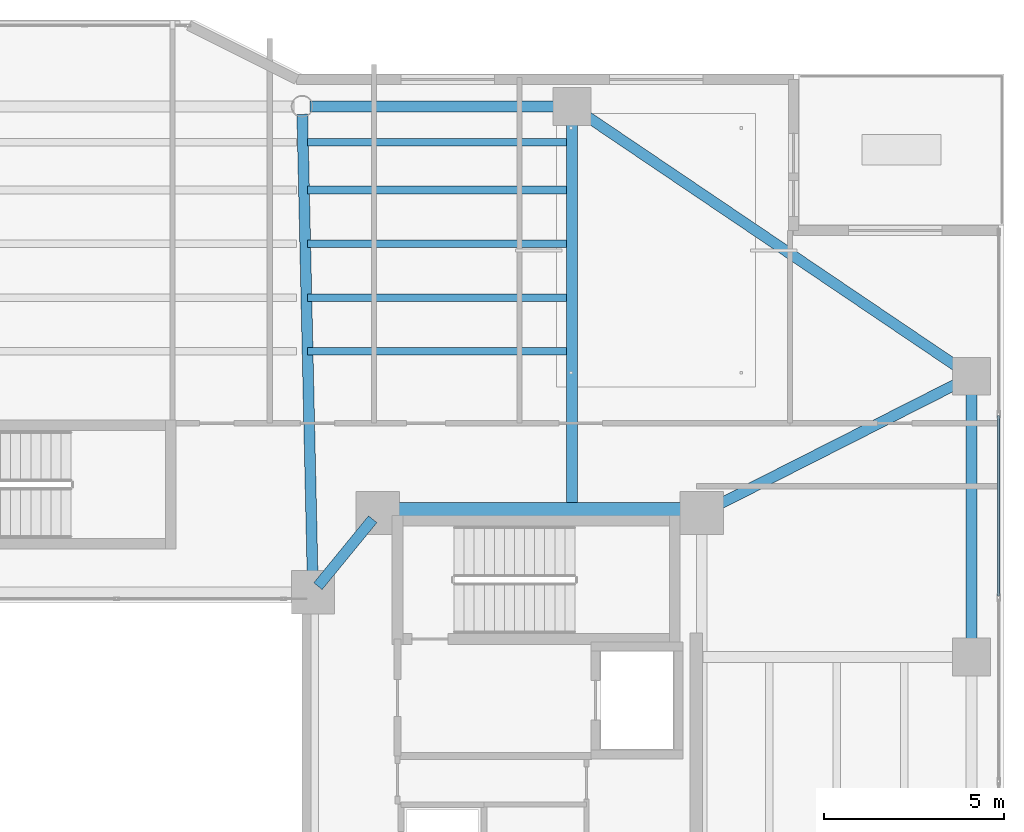
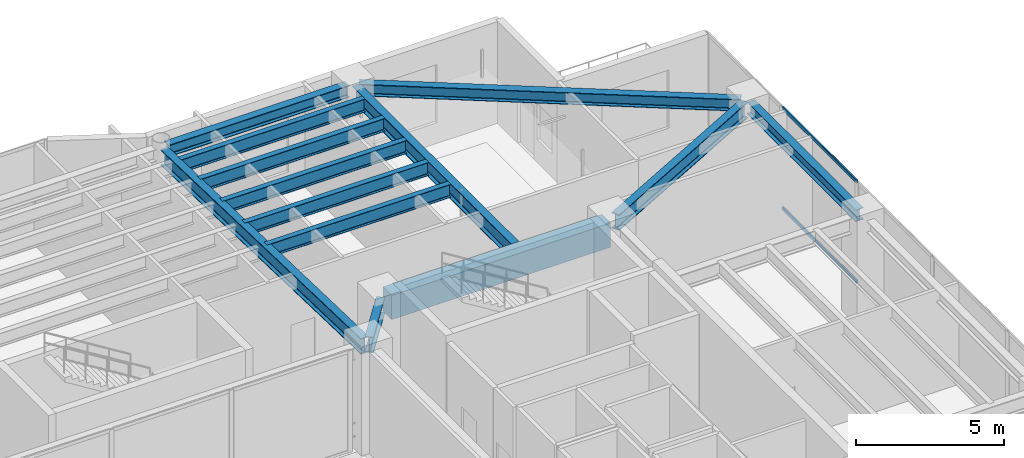
# One storey, part 24 of 38: 13 beams, 2 members, 1 element without a shape of its own.
"""IFC4 building model written with IfcOpenShell, lengths in metres."""

import ifcopenshell
import ifcopenshell.guid

model = None  # the IFC model being written
_history = None  # IfcOwnerHistory: only IFC2X3 demands one
_inside = {}  # id of a spatial element -> (the spatial element, [elements in it])
_under = {}  # id of a project, library or spatial element -> (it, [spatial elements below it])
_declared = {}  # id of a project -> (the project, [libraries it declares])
_typed = {}  # id of a type object -> (the type object, [elements of that type])
_made_of = {}  # id of a material, layer set ... -> (it, [elements and type objects made of it])


def new_model(schema):
    """Start an empty IFC model of exactly this schema.

    Asked for "IFC4X3", IfcOpenShell would pick the latest addendum, in which some entities
    have other attributes; the version numbers below select the first issue.
    IFC2X3 requires an IfcOwnerHistory on every rooted entity: one is made here for all.
    """
    global model, _history
    if schema == "IFC4X3":
        model = ifcopenshell.file(schema_version=(4, 3, 0, 0))
    else:
        model = ifcopenshell.file(schema=schema)
    _inside.clear()
    _under.clear()
    _declared.clear()
    _typed.clear()
    _made_of.clear()
    _history = None
    if model.schema == "IFC2X3":
        org = make("IfcOrganization", Name="unknown")
        user = make(
            "IfcPersonAndOrganization",
            ThePerson=make("IfcPerson", FamilyName="unknown"),
            TheOrganization=org,
        )
        app = make(
            "IfcApplication",
            ApplicationDeveloper=org,
            Version="unknown",
            ApplicationFullName="unknown",
            ApplicationIdentifier="unknown",
        )
        _history = make(
            "IfcOwnerHistory",
            OwningUser=user,
            OwningApplication=app,
            ChangeAction="ADDED",
            CreationDate=0,
        )
    return model


def make(cls, **values):
    """One entity of the class cls with the attributes given. An attribute that is None is left unset."""
    return model.create_entity(
        cls, **{name: value for name, value in values.items() if value is not None}
    )


def rooted(cls, **values):
    """An entity with a GlobalId (a new one), such as an element, a storey or a relation."""
    return make(cls, GlobalId=ifcopenshell.guid.new(), OwnerHistory=_history, **values)


def si_unit(unit_type, name, prefix=None):
    """IfcSIUnit, for example si_unit("LENGTHUNIT", "METRE", prefix="MILLI")."""
    return make("IfcSIUnit", UnitType=unit_type, Prefix=prefix, Name=name)


def assignment(units):
    """IfcUnitAssignment: the units of a project."""
    return None if units is None else make("IfcUnitAssignment", Units=units)


def point(xyz):
    """IfcCartesianPoint."""
    return None if xyz is None else make("IfcCartesianPoint", Coordinates=xyz)


def direction(xyz):
    """IfcDirection."""
    return None if xyz is None else make("IfcDirection", DirectionRatios=xyz)


def frame(location, z_axis=None, x_axis=None):
    """IfcAxis2Placement3D, a coordinate frame: its origin and axes. An axis left out is left unset."""
    return make(
        "IfcAxis2Placement3D",
        Location=point(location),
        Axis=direction(z_axis),
        RefDirection=direction(x_axis),
    )


def frame_2d(location, x_axis=None):
    """IfcAxis2Placement2D, a coordinate frame in the plane: its origin and x axis."""
    return make(
        "IfcAxis2Placement2D", Location=point(location), RefDirection=direction(x_axis)
    )


def origin():
    """The frame at (0, 0, 0) with its axes left unset."""
    return frame((0.0, 0.0, 0.0))


def origin_2d():
    """The frame at (0, 0) in the plane with its x axis left unset."""
    return frame_2d((0.0, 0.0))


def place(relative_to, where):
    """IfcLocalPlacement: puts the frame where relative to a parent placement (None: the world)."""
    return make(
        "IfcLocalPlacement", PlacementRelTo=relative_to, RelativePlacement=where
    )


def context(
    kind, dimensions, precision=None, world=None, true_north=None, identifier=None
):
    """IfcGeometricRepresentationContext, for example the 3D "Model" context."""
    return make(
        "IfcGeometricRepresentationContext",
        ContextIdentifier=identifier,
        ContextType=kind,
        CoordinateSpaceDimension=dimensions,
        Precision=precision,
        WorldCoordinateSystem=world,
        TrueNorth=true_north,
    )


def subcontext(parent, identifier, kind, view, scale=None):
    """IfcGeometricRepresentationSubContext, for example "Body" below "Model"."""
    return make(
        "IfcGeometricRepresentationSubContext",
        ContextIdentifier=identifier,
        ContextType=kind,
        ParentContext=parent,
        TargetScale=scale,
        TargetView=view,
    )


def project(units=None, contexts=None):
    """IfcProject with its units and contexts."""
    return rooted(
        "IfcProject",
        Name="project",
        RepresentationContexts=contexts,
        UnitsInContext=assignment(units),
    )


def spatial(cls, under=None, at=None, **own):
    """A site, building, storey or space (cls), placed at a placement, below another one or the project."""
    s = rooted(cls, ObjectPlacement=at, **own)
    if under is not None:
        _under.setdefault(under.id(), (under, []))[1].append(s)
    return s


def profile(cls, at=None, kind="AREA", **sizes):
    """A parametric profile (cls). Its sizes go by their IFC names, for example OverallWidth=200.0."""
    return make(cls, ProfileType=kind, Position=at, **sizes)


def rectangle(**sizes):
    """IfcRectangleProfileDef."""
    return profile("IfcRectangleProfileDef", **sizes)


def hollow_rectangle(**sizes):
    """IfcRectangleHollowProfileDef."""
    return profile("IfcRectangleHollowProfileDef", **sizes)


def i_section(**sizes):
    """IfcIShapeProfileDef."""
    return profile("IfcIShapeProfileDef", **sizes)


def extrude(swept, where, along, depth):
    """IfcExtrudedAreaSolid: the profile swept, set in the frame where, extruded along a direction by depth."""
    return make(
        "IfcExtrudedAreaSolid",
        SweptArea=swept,
        Position=where,
        ExtrudedDirection=direction(along),
        Depth=depth,
    )


def shape(context_of_items, identifier, shape_type, items):
    """IfcShapeRepresentation: the items that make up one representation, for example the "Body"."""
    return make(
        "IfcShapeRepresentation",
        ContextOfItems=context_of_items,
        RepresentationIdentifier=identifier,
        RepresentationType=shape_type,
        Items=items,
    )


def material(Name=None, Category=None):
    """IfcMaterial."""
    return make("IfcMaterial", Name=Name, Category=Category)


def layer(
    of_material, thickness, ventilated=None, Name=None, Category=None, Priority=None
):
    """IfcMaterialLayer: one layer of a wall or slab, of a material (None: an air gap)."""
    return make(
        "IfcMaterialLayer",
        Material=of_material,
        LayerThickness=thickness,
        IsVentilated=ventilated,
        Name=Name,
        Category=Category,
        Priority=Priority,
    )


def layer_set(layers, Name=None):
    """IfcMaterialLayerSet."""
    return make("IfcMaterialLayerSet", MaterialLayers=layers, LayerSetName=Name)


def material_profile(
    of_material, cross_section, Name=None, Category=None, Priority=None
):
    """IfcMaterialProfile: a cross section and its material."""
    return make(
        "IfcMaterialProfile",
        Name=Name,
        Material=of_material,
        Profile=cross_section,
        Priority=Priority,
        Category=Category,
    )


def profile_set(profiles, Name=None, composite=None):
    """IfcMaterialProfileSet."""
    return make(
        "IfcMaterialProfileSet",
        Name=Name,
        MaterialProfiles=profiles,
        CompositeProfile=composite,
    )


def made_of(thing, what):
    """Note that an element or type object is made of a material, layer set ...; save() writes the relation."""
    if what is not None:
        _made_of.setdefault(what.id(), (what, []))[1].append(thing)
    return thing


def type_object(cls, material=None, **own):
    """A type object (cls), such as IfcWallType, which elements share."""
    return made_of(rooted(cls, **own), material)


def element(
    cls,
    number,
    at=None,
    inside=None,
    cuts=None,
    type_object=None,
    material=None,
    context=None,
    identifier="Body",
    shape_type=None,
    held_by="IfcProductDefinitionShape",
    body=None,
    shapes=None,
    **own,
):
    """One element of the class cls, such as IfcWall. Its Tag is "e" and its number.

    at: its placement. inside: the storey or other place that contains it. cuts: it is an
    opening in that element (IfcRelVoidsElement). A single representation is given by context,
    identifier, shape_type and body (its items); several are given by shapes. held_by: the class
    of the entity that holds the representations. save() writes the other relations.
    """
    e = rooted(cls, Tag="e%d" % number, ObjectPlacement=at, **own)
    if body is not None:
        shapes = [shape(context, identifier, shape_type, body)]
    if shapes is not None:
        e.Representation = make(held_by, Representations=shapes)
    if inside is not None:
        _inside.setdefault(inside.id(), (inside, []))[1].append(e)
    if cuts is not None:
        rooted(
            "IfcRelVoidsElement", RelatingBuildingElement=cuts, RelatedOpeningElement=e
        )
    if type_object is not None:
        _typed.setdefault(type_object.id(), (type_object, []))[1].append(e)
    return made_of(e, material)


def aggregate(whole, parts):
    """IfcRelAggregates: a whole, such as a stair, and the parts it consists of."""
    return rooted("IfcRelAggregates", RelatingObject=whole, RelatedObjects=parts)


def save(model, path):
    """Write the relations noted so far, then the file.

    IfcRelAggregates (storeys below a building ...), IfcRelContainedInSpatialStructure (elements
    in a storey), IfcRelDefinesByType, IfcRelAssociatesMaterial and IfcRelDeclares: one each for
    every whole, place, type object, material and project.
    """
    for whole, parts in _under.values():
        aggregate(whole, parts)
    for where, things in _inside.values():
        rooted(
            "IfcRelContainedInSpatialStructure",
            RelatedElements=things,
            RelatingStructure=where,
        )
    for kind, things in _typed.values():
        rooted("IfcRelDefinesByType", RelatedObjects=things, RelatingType=kind)
    for what, things in _made_of.values():
        rooted("IfcRelAssociatesMaterial", RelatedObjects=things, RelatingMaterial=what)
    for by, libraries in _declared.values():
        rooted("IfcRelDeclares", RelatingContext=by, RelatedDefinitions=libraries)
    model.write(path)


model = new_model("IFC4")

# Units and contexts
model_context = context("Model", 3, precision=1e-05, world=origin(), true_north=direction((0.0, 1.0)))
body_context = subcontext(model_context, "Body", "Model", "MODEL_VIEW")
ifc_project = project(units=[si_unit("LENGTHUNIT", "METRE"), si_unit("AREAUNIT", "SQUARE_METRE"), si_unit("VOLUMEUNIT", "CUBIC_METRE"), si_unit("PLANEANGLEUNIT", "RADIAN"), si_unit("MASSUNIT", "GRAM", prefix="KILO")], contexts=[model_context])

# Site, building, storey
site_placement = place(None, origin())
site = spatial("IfcSite", under=ifc_project, at=site_placement, CompositionType="ELEMENT")
building_placement = place(site_placement, origin())
building = spatial("IfcBuilding", under=site, at=building_placement, Name="Tarnavaz Court Tower", CompositionType="ELEMENT")
storey_placement = place(building_placement, frame((0.0, 0.0, 123.0)))
storey = spatial("IfcBuildingStorey", under=building, at=storey_placement, Name="L33", CompositionType="ELEMENT", Elevation=123.0)

# Beams
ifc_material_1 = material(Name="Concrete C60/75", Category="concrete")
ifc_material_profile_1 = material_profile(ifc_material_1, rectangle(XDim=0.60009765625, YDim=1.0, at=origin_2d()), Name="RC 600X1000")
ifc_profile_set_1 = profile_set([ifc_material_profile_1], Name="Concrete C60/75")
beam_type_1 = type_object("IfcBeamType", Name="BM-CB1000", PredefinedType="LINTEL", material=ifc_profile_set_1)
beam_1_placement = place(storey_placement, frame((18.3798828125, 10.0, 3.699951171875), z_axis=(-1.0, 0.0, 0.0), x_axis=(0.0, -1.0, 0.0)))
element("IfcBeam", 1, at=beam_1_placement, inside=storey, type_object=beam_type_1, Name="L33 Beam IN-CE-NO-CE-NI", PredefinedType="LINTEL", context=body_context, shape_type="SweptSolid", body=[
    extrude(rectangle(XDim=0.60009765625, YDim=1.0, at=origin_2d()), origin(), (0.0, 0.0, 1.0), 8.559814453125),
])
ifc_material_2 = material(Name="Steel S355", Category="steel")
ifc_material_profile_2 = material_profile(ifc_material_2, i_section(OverallWidth=0.300048828125, OverallDepth=0.64990234375, WebThickness=0.01611328125, FlangeThickness=0.031005859375, FilletRadius=0.027099609375, at=origin_2d()), Name="HEB 650")
ifc_profile_set_2 = profile_set([ifc_material_profile_2], Name="Steel S355")
beam_type_2 = type_object("IfcBeamType", Name="BM-G-HEB650", PredefinedType="USERDEFINED", material=ifc_profile_set_2)
beam_2_placement = place(storey_placement, frame((9.460693359375, 9.82958984375, 3.875), z_axis=(-0.633282058357, -0.773921077735, 0.0), x_axis=(0.773921077735, -0.633282058357, 0.0)))
element("IfcBeam", 2, at=beam_2_placement, inside=storey, type_object=beam_type_2, Name="L33 Beam IN-CE-NI-IW-NE", ObjectType="GIRDER", PredefinedType="USERDEFINED", context=body_context, shape_type="SweptSolid", body=[
    extrude(i_section(OverallWidth=0.300048828125, OverallDepth=0.64990234375, WebThickness=0.01611328125, FlangeThickness=0.031005859375, FilletRadius=0.027099609375, at=origin_2d()), origin(), (0.0, 0.0, 1.0), 2.402587890625),
])
beam_3_placement = place(storey_placement, frame((7.795166015625, 8.02001953125, 3.875), z_axis=(-0.022221303469, 0.99975307635, 0.0), x_axis=(-0.99975307635, -0.022221303469, 0.0)))
element("IfcBeam", 3, at=beam_3_placement, inside=storey, type_object=beam_type_2, Name="L33 Beam RG-03", ObjectType="GIRDER", PredefinedType="USERDEFINED", context=body_context, shape_type="SweptSolid", body=[
    extrude(i_section(OverallWidth=0.300048828125, OverallDepth=0.64990234375, WebThickness=0.01611328125, FlangeThickness=0.031005859375, FilletRadius=0.027099609375, at=origin_2d()), origin(), (0.0, 0.0, 1.0), 13.063232421875),
])
beam_4_placement = place(storey_placement, frame((15.0, 10.0400390625, 3.875), z_axis=(0.0, 1.0, 0.0), x_axis=(-1.0, 0.0, 0.0)))
element("IfcBeam", 4, at=beam_4_placement, inside=storey, type_object=beam_type_2, Name="L33 Beam RG-04", ObjectType="GIRDER", PredefinedType="USERDEFINED", context=body_context, shape_type="SweptSolid", body=[
    extrude(i_section(OverallWidth=0.300048828125, OverallDepth=0.64990234375, WebThickness=0.01611328125, FlangeThickness=0.031005859375, FilletRadius=0.027099609375, at=origin_2d()), origin(), (0.0, 0.0, 1.0), 11.0400390625),
])
beam_5_placement = place(storey_placement, frame((18.796142578125, 10.099365234375, 3.875), z_axis=(0.892030669981, 0.451974870776, 0.0), x_axis=(-0.451974870776, 0.892030669981, 0.0)))
element("IfcBeam", 5, at=beam_5_placement, inside=storey, type_object=beam_type_2, Name="L33 Beam RG-12", ObjectType="GIRDER", PredefinedType="USERDEFINED", context=body_context, shape_type="SweptSolid", body=[
    extrude(i_section(OverallWidth=0.300048828125, OverallDepth=0.64990234375, WebThickness=0.01611328125, FlangeThickness=0.031005859375, FilletRadius=0.027099609375, at=origin_2d()), origin(), (0.0, 0.0, 1.0), 7.968017578125),
])
ifc_material_profile_3 = material_profile(ifc_material_2, i_section(OverallWidth=0.2099609375, OverallDepth=0.550048828125, WebThickness=0.010986328125, FlangeThickness=0.01708984375, FilletRadius=0.02392578125, at=origin_2d()), Name="IPE 550")
ifc_profile_set_3 = profile_set([ifc_material_profile_3], Name="Steel S355")
beam_type_3 = type_object("IfcBeamType", Name="BM-J-IPE550", PredefinedType="JOIST", material=ifc_profile_set_3)
for number, where, z_axis, x_axis, name in (
    (6, (7.64990234375, 14.493896484375, 3.925048828125), (1.0, 0.0, 0.0), (0.0, 1.0, 0.0), "L33 Beam JN1-3"),
    (7, (7.64990234375, 15.988037109375, 3.925048828125), (1.0, 0.0, 0.0), (0.0, 1.0, 0.0), "L33 Beam JN2-3"),
    (8, (7.64990234375, 17.48193359375, 3.925048828125), (1.0, 0.0, 0.0), (0.0, 1.0, 0.0), "L33 Beam JN3-3"),
    (9, (7.64990234375, 18.97607421875, 3.925048828125), (1.0, 0.0, 0.0), (0.0, 1.0, 0.0), "L33 Beam JN4-3"),
    (10, (7.64990234375, 20.303955078125, 3.925048828125), (1.0, 0.0, 0.0), (0.0, 1.0, 0.0), "L33 Beam JN5-3"),
):
    element("IfcBeam", number, at=place(storey_placement, frame(where, z_axis=z_axis, x_axis=x_axis)), inside=storey, type_object=beam_type_3, Name=name, PredefinedType="JOIST", context=body_context, shape_type="SweptSolid", body=[
        extrude(i_section(OverallWidth=0.2099609375, OverallDepth=0.550048828125, WebThickness=0.010986328125, FlangeThickness=0.01708984375, FilletRadius=0.02392578125, at=origin_2d()), origin(), (0.0, 0.0, 1.0), 7.2001953125),
    ])
ifc_material_profile_4 = material_profile(ifc_material_2, i_section(OverallWidth=0.300048828125, OverallDepth=0.489990234375, WebThickness=0.011962890625, FlangeThickness=0.02294921875, FilletRadius=0.027099609375, at=origin_2d()), Name="HEA 500")
ifc_profile_set_4 = profile_set([ifc_material_profile_4], Name="Steel S355")
beam_type_4 = type_object("IfcBeamType", Name="BM-SP-HEA500", PredefinedType="SPANDREL", material=ifc_profile_set_4)
beam_6_placement = place(storey_placement, frame((7.719970703125, 21.300048828125, 3.955078125), z_axis=(1.0, 0.0, 0.0), x_axis=(0.0, 1.0, 0.0)))
element("IfcBeam", 11, at=beam_6_placement, inside=storey, type_object=beam_type_4, Name="L33 Beam PR-PN-3-PN-4", PredefinedType="SPANDREL", context=body_context, shape_type="SweptSolid", body=[
    extrude(i_section(OverallWidth=0.300048828125, OverallDepth=0.489990234375, WebThickness=0.011962890625, FlangeThickness=0.02294921875, FilletRadius=0.027099609375, at=origin_2d()), origin(), (0.0, 0.0, 1.0), 7.06005859375),
])
beam_7_placement = place(storey_placement, frame((26.10009765625, 6.219970703125, 3.955078125), z_axis=(0.0, 1.0, 0.0), x_axis=(-1.0, 0.0, 0.0)))
element("IfcBeam", 12, at=beam_7_placement, inside=storey, type_object=beam_type_4, Name="L33 Beam PR-PE-3-PE-4", PredefinedType="SPANDREL", context=body_context, shape_type="SweptSolid", body=[
    extrude(i_section(OverallWidth=0.300048828125, OverallDepth=0.489990234375, WebThickness=0.011962890625, FlangeThickness=0.02294921875, FilletRadius=0.027099609375, at=origin_2d()), origin(), (0.0, 0.0, 1.0), 7.360107421875),
])
beam_8_placement = place(storey_placement, frame((15.182373046875, 21.1767578125, 3.955078125), z_axis=(0.828587314918, -0.559859858854, 0.0), x_axis=(0.559859858854, 0.828587314918, 0.0)))
element("IfcBeam", 13, at=beam_8_placement, inside=storey, type_object=beam_type_4, Name="L33 Beam PR-PN-4-PE-4", PredefinedType="SPANDREL", context=body_context, shape_type="SweptSolid", body=[
    extrude(i_section(OverallWidth=0.300048828125, OverallDepth=0.489990234375, WebThickness=0.011962890625, FlangeThickness=0.02294921875, FilletRadius=0.027099609375, at=origin_2d()), origin(), (0.0, 0.0, 1.0), 12.956298828125),
])

# Curtain wall, members
ifc_material_3 = material(Name="Anodised Aluminium 6063-T6 and Solar Low-E Glazing", Category="aluminium")
ifc_layer = layer(ifc_material_3, 0.199951171875)
ifc_layer_set = layer_set([ifc_layer], Name="Anodised Aluminium 6063-T6 and Solar Low-E Glazing")
curtain_wall_type = type_object("IfcCurtainWallType", Name="CW-SYS-05", PredefinedType="NOTDEFINED", material=ifc_layer_set)
curtain_wall_placement = place(storey_placement, origin())
curtain_wall = element("IfcCurtainWall", 14, at=curtain_wall_placement, inside=storey, type_object=curtain_wall_type, Name="L33 Sky-Portal Curtain Wall 12", PredefinedType="NOTDEFINED")
ifc_material_4 = material(Name="Anodised Aluminium 6063-T6", Category="aluminium")
ifc_material_profile_5 = material_profile(ifc_material_4, hollow_rectangle(XDim=0.06494140625, YDim=0.139892578125, WallThickness=0.00390625, InnerFilletRadius=0.00390625, OuterFilletRadius=0.008056640625, at=origin_2d()), Name="ALU RHS 140X65X4")
ifc_profile_set_5 = profile_set([ifc_material_profile_5], Name="Anodised Aluminium 6063-T6")
member_type = type_object("IfcMemberType", Name="CW-TRN-140", PredefinedType="USERDEFINED", material=ifc_profile_set_5)
member_1_placement = place(storey_placement, frame((26.85009765625, 12.70751953125, 0.032470703125), z_axis=(0.0, -1.0, 0.0), x_axis=(1.0, 0.0, 0.0)))
member_1 = element("IfcMember", 15, at=member_1_placement, type_object=member_type, Name="CW transom 2.1", ObjectType="TRANSOM", PredefinedType="USERDEFINED", context=body_context, shape_type="SweptSolid", body=[
    extrude(hollow_rectangle(XDim=0.06494140625, YDim=0.139892578125, WallThickness=0.00390625, InnerFilletRadius=0.00390625, OuterFilletRadius=0.008056640625, at=origin_2d()), origin(), (0.0, 0.0, 1.0), 5.01513671875),
])
member_2_placement = place(storey_placement, frame((26.85009765625, 12.70751953125, 4.16748046875), z_axis=(0.0, -1.0, 0.0), x_axis=(1.0, 0.0, 0.0)))
member_2 = element("IfcMember", 16, at=member_2_placement, type_object=member_type, Name="CW transom 2.2", ObjectType="TRANSOM", PredefinedType="USERDEFINED", context=body_context, shape_type="SweptSolid", body=[
    extrude(hollow_rectangle(XDim=0.06494140625, YDim=0.139892578125, WallThickness=0.00390625, InnerFilletRadius=0.00390625, OuterFilletRadius=0.008056640625, at=origin_2d()), origin(), (0.0, 0.0, 1.0), 5.01513671875),
])
aggregate(curtain_wall, [member_1, member_2])

save(model, "model.ifc")
